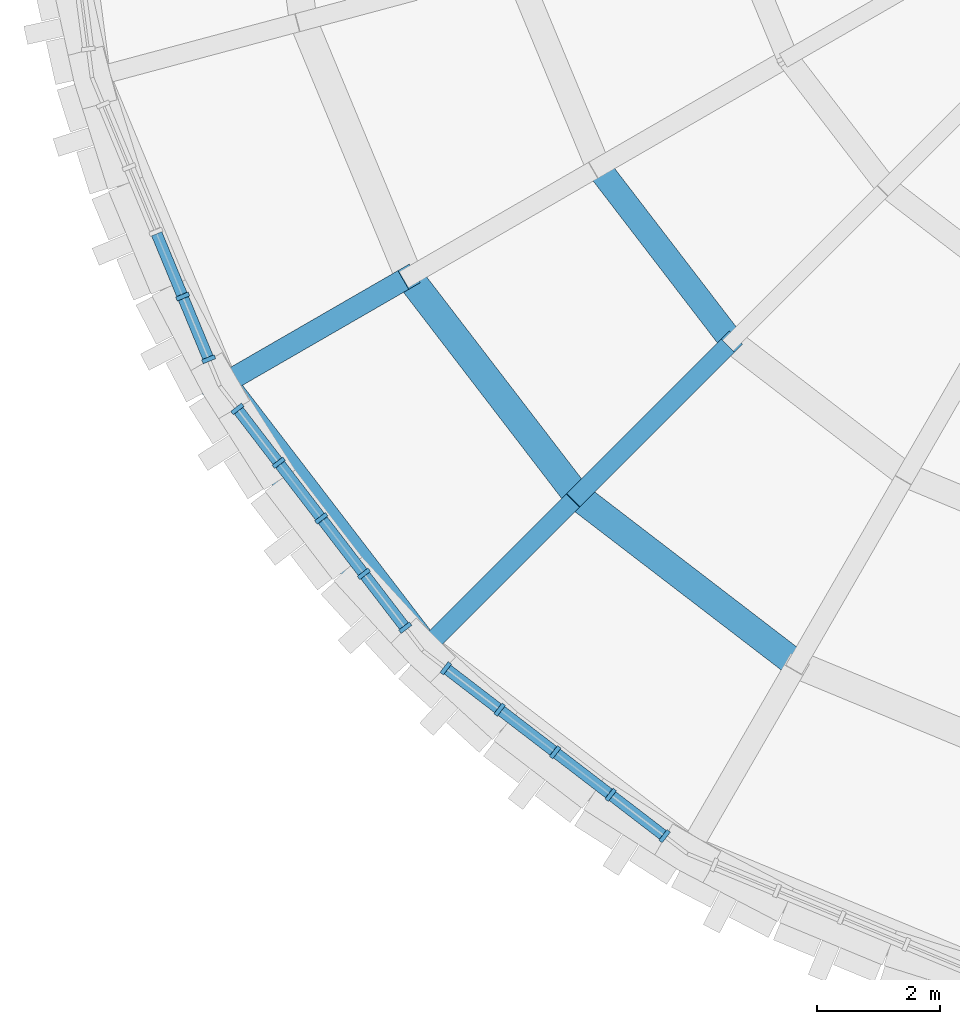
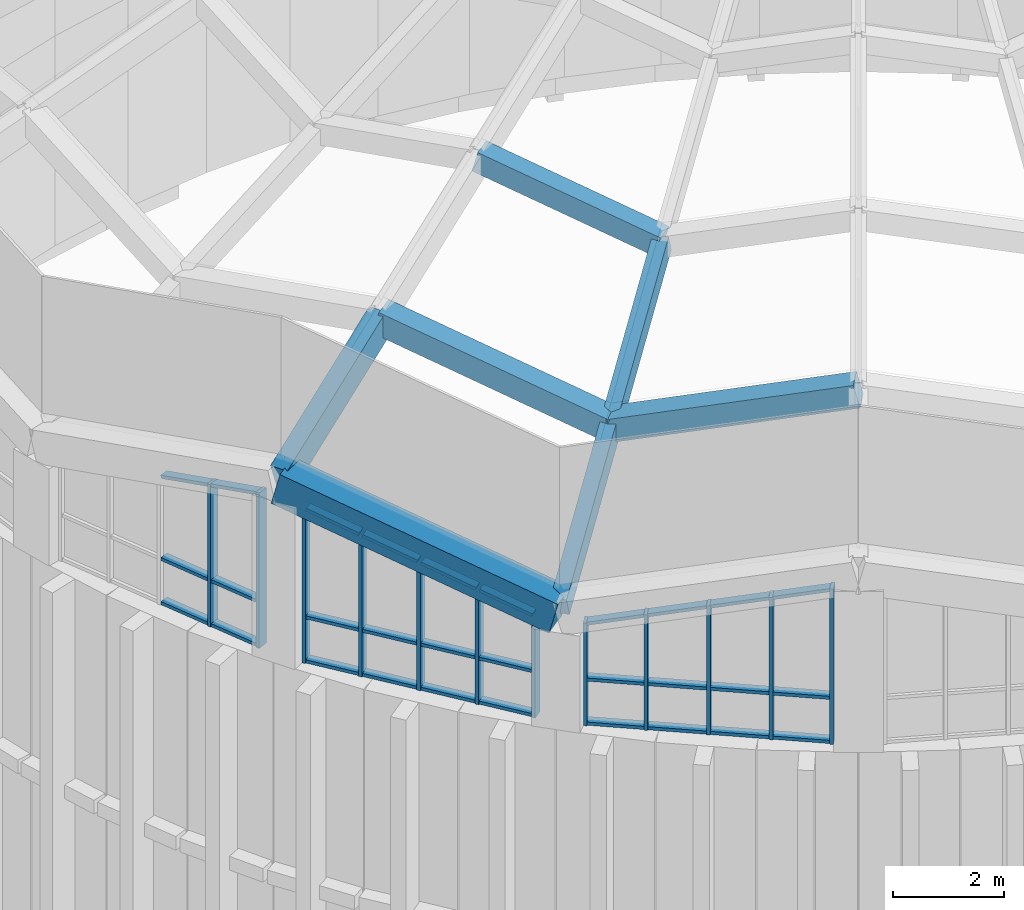
# One storey, part 4 of 82: 42 members, 7 beams, 3 elements without a shape of their own.
"""IFC4 building model written with IfcOpenShell, lengths in metres."""

from ifc_helpers import new_model, si_unit, direction, frame, origin, origin_2d, place, context, subcontext, project, spatial, rectangle, extrude, material, layer, layer_set, material_profile, profile_set, type_object, element, aggregate, save


model = new_model("IFC4")

# Units and contexts
model_context = context("Model", 3, precision=1e-05, world=origin(), true_north=direction((0.0, 1.0)))
body_context = subcontext(model_context, "Body", "Model", "MODEL_VIEW")
ifc_project = project(units=[si_unit("LENGTHUNIT", "METRE"), si_unit("AREAUNIT", "SQUARE_METRE"), si_unit("VOLUMEUNIT", "CUBIC_METRE"), si_unit("PLANEANGLEUNIT", "RADIAN"), si_unit("MASSUNIT", "GRAM", prefix="KILO")], contexts=[model_context])

# Site, building, storey
site_placement = place(None, origin())
site = spatial("IfcSite", under=ifc_project, at=site_placement, CompositionType="ELEMENT")
building_placement = place(site_placement, origin())
building = spatial("IfcBuilding", under=site, at=building_placement, Name="Volute Hill Aquarium", CompositionType="ELEMENT")
storey_placement = place(building_placement, frame((0.0, 0.0, 13.800048828125)))
storey = spatial("IfcBuildingStorey", under=building, at=storey_placement, Name="L04", CompositionType="ELEMENT", Elevation=13.800048828125)

# Curtain wall, members
ifc_material_1 = material(Name="Aluminium", Category="aluminium")
ifc_layer = layer(ifc_material_1, 0.219970703125)
ifc_layer_set = layer_set([ifc_layer], Name="Curtain wall DR clerestory module 1134")
curtain_wall_type = type_object("IfcCurtainWallType", Name="Curtain wall DR clerestory module 1134", PredefinedType="NOTDEFINED", material=ifc_layer_set)
curtain_wall_1_placement = place(storey_placement, origin())
curtain_wall_1 = element("IfcCurtainWall", 1, at=curtain_wall_1_placement, inside=storey, type_object=curtain_wall_type, Name="Curtain wall CW DR clerestory c13", PredefinedType="NOTDEFINED")
ifc_material_2 = material(Name="Aluminium", Category="aluminium")
ifc_material_profile_1 = material_profile(ifc_material_2, rectangle(XDim=0.219970703125, YDim=0.070068359375, at=origin_2d()), Name="Curtain wall mullion clerestory 70x220")
ifc_profile_set_1 = profile_set([ifc_material_profile_1], Name="Aluminium")
member_type_1 = type_object("IfcMemberType", Name="Curtain wall mullion clerestory 70x220", PredefinedType="MULLION", material=ifc_profile_set_1)
member_1_placement = place(storey_placement, frame((-18.526611328125, -8.9013671875, 13.699951171875), z_axis=(0.0, 0.0, 1.0), x_axis=(0.923874284426, 0.382696102118, 0.0)))
member_1 = element("IfcMember", 2, at=member_1_placement, type_object=member_type_1, Name="Mullion DR clerestory 4", PredefinedType="MULLION", context=body_context, shape_type="SweptSolid", body=[
    extrude(rectangle(XDim=0.219970703125, YDim=0.070068359375, at=origin_2d()), origin(), (0.0, 0.0, 1.0), 3.12109375),
])
member_2_placement = place(storey_placement, frame((-18.106201171875, -9.916748046875, 13.699951171875), z_axis=(0.0, 0.0, 1.0), x_axis=(0.923874284426, 0.382696102118, 0.0)))
member_2 = element("IfcMember", 3, at=member_2_placement, type_object=member_type_1, Name="Mullion DR clerestory 5", PredefinedType="MULLION", context=body_context, shape_type="SweptSolid", body=[
    extrude(rectangle(XDim=0.219970703125, YDim=0.070068359375, at=origin_2d()), origin(), (0.0, 0.0, 1.0), 3.40576171875),
])

curtain_wall_2_placement = place(storey_placement, origin())
curtain_wall_2 = element("IfcCurtainWall", 4, at=curtain_wall_2_placement, inside=storey, type_object=curtain_wall_type, Name="Curtain wall CW DR clerestory c14", PredefinedType="NOTDEFINED")
member_3_placement = place(storey_placement, frame((-17.641357421875, -10.721923828125, 13.699951171875), z_axis=(0.0, 0.0, 1.0), x_axis=(0.793354013303, 0.608760551921, 0.0)))
member_3 = element("IfcMember", 5, at=member_3_placement, type_object=member_type_1, Name="Mullion DR clerestory 1", PredefinedType="MULLION", context=body_context, shape_type="SweptSolid", body=[
    extrude(rectangle(XDim=0.219970703125, YDim=0.070068359375, at=origin_2d()), origin(), (0.0, 0.0, 1.0), 3.40576171875),
])
member_4_placement = place(storey_placement, frame((-16.97216796875, -11.593994140625, 13.699951171875), z_axis=(0.0, 0.0, 1.0), x_axis=(0.793354013303, 0.608760551921, 0.0)))
member_4 = element("IfcMember", 6, at=member_4_placement, type_object=member_type_1, Name="Mullion DR clerestory 2", PredefinedType="MULLION", context=body_context, shape_type="SweptSolid", body=[
    extrude(rectangle(XDim=0.219970703125, YDim=0.070068359375, at=origin_2d()), origin(), (0.0, 0.0, 1.0), 3.12109375),
])
member_5_placement = place(storey_placement, frame((-16.281982421875, -12.49365234375, 13.699951171875), z_axis=(0.0, 0.0, 1.0), x_axis=(0.793354013303, 0.608760551921, 0.0)))
member_5 = element("IfcMember", 7, at=member_5_placement, type_object=member_type_1, Name="Mullion DR clerestory 3", PredefinedType="MULLION", context=body_context, shape_type="SweptSolid", body=[
    extrude(rectangle(XDim=0.219970703125, YDim=0.070068359375, at=origin_2d()), origin(), (0.0, 0.0, 1.0), 2.827392578125),
])
member_6_placement = place(storey_placement, frame((-15.591552734375, -13.393310546875, 13.699951171875), z_axis=(0.0, 0.0, 1.0), x_axis=(0.793354013303, 0.608760551921, 0.0)))
member_6 = element("IfcMember", 8, at=member_6_placement, type_object=member_type_1, Name="Mullion DR clerestory 4", PredefinedType="MULLION", context=body_context, shape_type="SweptSolid", body=[
    extrude(rectangle(XDim=0.219970703125, YDim=0.070068359375, at=origin_2d()), origin(), (0.0, 0.0, 1.0), 2.533447265625),
])
member_7_placement = place(storey_placement, frame((-14.922607421875, -14.26513671875, 13.699951171875), z_axis=(0.0, 0.0, 1.0), x_axis=(0.793354013303, 0.608760551921, 0.0)))
member_7 = element("IfcMember", 9, at=member_7_placement, type_object=member_type_1, Name="Mullion DR clerestory 5", PredefinedType="MULLION", context=body_context, shape_type="SweptSolid", body=[
    extrude(rectangle(XDim=0.219970703125, YDim=0.070068359375, at=origin_2d()), origin(), (0.0, 0.0, 1.0), 2.248779296875),
])

curtain_wall_3_placement = place(storey_placement, origin())
curtain_wall_3 = element("IfcCurtainWall", 10, at=curtain_wall_3_placement, inside=storey, type_object=curtain_wall_type, Name="Curtain wall CW DR clerestory c15", PredefinedType="NOTDEFINED")
member_8_placement = place(storey_placement, frame((-14.26513671875, -14.922607421875, 13.699951171875), z_axis=(0.0, 0.0, 1.0), x_axis=(0.608760551921, 0.793354013303, 0.0)))
member_8 = element("IfcMember", 11, at=member_8_placement, type_object=member_type_1, Name="Mullion DR clerestory 1", PredefinedType="MULLION", context=body_context, shape_type="SweptSolid", body=[
    extrude(rectangle(XDim=0.219970703125, YDim=0.070068359375, at=origin_2d()), origin(), (0.0, 0.0, 1.0), 2.248779296875),
])
member_9_placement = place(storey_placement, frame((-13.393310546875, -15.591552734375, 13.699951171875), z_axis=(0.0, 0.0, 1.0), x_axis=(0.608760551921, 0.793354013303, 0.0)))
member_9 = element("IfcMember", 12, at=member_9_placement, type_object=member_type_1, Name="Mullion DR clerestory 2", PredefinedType="MULLION", context=body_context, shape_type="SweptSolid", body=[
    extrude(rectangle(XDim=0.219970703125, YDim=0.070068359375, at=origin_2d()), origin(), (0.0, 0.0, 1.0), 2.533447265625),
])
member_10_placement = place(storey_placement, frame((-12.49365234375, -16.281982421875, 13.699951171875), z_axis=(0.0, 0.0, 1.0), x_axis=(0.608760551921, 0.793354013303, 0.0)))
member_10 = element("IfcMember", 13, at=member_10_placement, type_object=member_type_1, Name="Mullion DR clerestory 3", PredefinedType="MULLION", context=body_context, shape_type="SweptSolid", body=[
    extrude(rectangle(XDim=0.219970703125, YDim=0.070068359375, at=origin_2d()), origin(), (0.0, 0.0, 1.0), 2.827392578125),
])
member_11_placement = place(storey_placement, frame((-11.593994140625, -16.97216796875, 13.699951171875), z_axis=(0.0, 0.0, 1.0), x_axis=(0.608760551921, 0.793354013303, 0.0)))
member_11 = element("IfcMember", 14, at=member_11_placement, type_object=member_type_1, Name="Mullion DR clerestory 4", PredefinedType="MULLION", context=body_context, shape_type="SweptSolid", body=[
    extrude(rectangle(XDim=0.219970703125, YDim=0.070068359375, at=origin_2d()), origin(), (0.0, 0.0, 1.0), 3.12109375),
])
member_12_placement = place(storey_placement, frame((-10.721923828125, -17.641357421875, 13.699951171875), z_axis=(0.0, 0.0, 1.0), x_axis=(0.608760551921, 0.793354013303, 0.0)))
member_12 = element("IfcMember", 15, at=member_12_placement, type_object=member_type_1, Name="Mullion DR clerestory 5", PredefinedType="MULLION", context=body_context, shape_type="SweptSolid", body=[
    extrude(rectangle(XDim=0.219970703125, YDim=0.070068359375, at=origin_2d()), origin(), (0.0, 0.0, 1.0), 3.40576171875),
])

# Member
ifc_material_3 = material(Name="Aluminium", Category="aluminium")
ifc_material_profile_2 = material_profile(ifc_material_3, rectangle(XDim=0.179931640625, YDim=0.070068359375, at=origin_2d()), Name="Curtain wall transom clerestory 70x180")
ifc_profile_set_2 = profile_set([ifc_material_profile_2], Name="Aluminium")
member_type_2 = type_object("IfcMemberType", Name="Curtain wall transom clerestory 70x180", PredefinedType="USERDEFINED", material=ifc_profile_set_2)
member_13_placement = place(storey_placement, frame((-18.947265625, -7.88623046875, 13.73486328125), z_axis=(0.38275711533, -0.923849008585, 0.0), x_axis=(0.923849008585, 0.38275711533, 0.0)))
member_13 = element("IfcMember", 16, at=member_13_placement, type_object=member_type_2, Name="Transom DR clerestory 3.1", ObjectType="TRANSOM", PredefinedType="USERDEFINED", context=body_context, shape_type="SweptSolid", body=[
    extrude(rectangle(XDim=0.179931640625, YDim=0.070068359375, at=origin_2d()), origin(), (0.0, 0.0, 1.0), 1.06396484375),
])

member_14_placement = place(storey_placement, frame((-18.947265625, -7.88623046875, 14.699951171875), z_axis=(0.38275711533, -0.923849008585, 0.0), x_axis=(0.923849008585, 0.38275711533, 0.0)))
member_14 = element("IfcMember", 17, at=member_14_placement, type_object=member_type_2, Name="Transom DR clerestory 3.2", ObjectType="TRANSOM", PredefinedType="USERDEFINED", context=body_context, shape_type="SweptSolid", body=[
    extrude(rectangle(XDim=0.179931640625, YDim=0.070068359375, at=origin_2d()), origin(), (0.0, 0.0, 1.0), 1.06396484375),
])

member_15_placement = place(storey_placement, frame((-18.947265625, -7.88623046875, 16.501220703125), z_axis=(0.3705038637, -0.894273714183, 0.251000818934), x_axis=(0.923849008585, 0.38275711533, 0.0)))
member_15 = element("IfcMember", 18, at=member_15_placement, type_object=member_type_2, Name="Head member DR clerestory 3", ObjectType="TRANSOM", PredefinedType="USERDEFINED", context=body_context, shape_type="SweptSolid", body=[
    extrude(rectangle(XDim=0.179931640625, YDim=0.070068359375, at=origin_2d()), origin(), (0.0, 0.0, 1.0), 1.09912109375),
])

member_16_placement = place(storey_placement, frame((-18.513427734375, -8.933837890625, 13.73486328125), z_axis=(0.382694041496, -0.923875137994, 0.0), x_axis=(0.923875137994, 0.382694041496, 0.0)))
member_16 = element("IfcMember", 19, at=member_16_placement, type_object=member_type_2, Name="Transom DR clerestory 4.1", ObjectType="TRANSOM", PredefinedType="USERDEFINED", context=body_context, shape_type="SweptSolid", body=[
    extrude(rectangle(XDim=0.179931640625, YDim=0.070068359375, at=origin_2d()), origin(), (0.0, 0.0, 1.0), 1.029052734375),
])

member_17_placement = place(storey_placement, frame((-18.513427734375, -8.933837890625, 14.699951171875), z_axis=(0.382694041496, -0.923875137994, 0.0), x_axis=(0.923875137994, 0.382694041496, 0.0)))
member_17 = element("IfcMember", 20, at=member_17_placement, type_object=member_type_2, Name="Transom DR clerestory 4.2", ObjectType="TRANSOM", PredefinedType="USERDEFINED", context=body_context, shape_type="SweptSolid", body=[
    extrude(rectangle(XDim=0.179931640625, YDim=0.070068359375, at=origin_2d()), origin(), (0.0, 0.0, 1.0), 1.029052734375),
])

member_18_placement = place(storey_placement, frame((-18.513427734375, -8.933837890625, 16.795166015625), z_axis=(0.370462446249, -0.894346413946, 0.250802846438), x_axis=(0.923875137994, 0.382694041496, 0.0)))
member_18 = element("IfcMember", 21, at=member_18_placement, type_object=member_type_2, Name="Head member DR clerestory 4", ObjectType="TRANSOM", PredefinedType="USERDEFINED", context=body_context, shape_type="SweptSolid", body=[
    extrude(rectangle(XDim=0.179931640625, YDim=0.070068359375, at=origin_2d()), origin(), (0.0, 0.0, 1.0), 1.06298828125),
])

aggregate(curtain_wall_1, [member_1, member_2, member_13, member_14, member_15, member_16, member_17, member_18])

member_19_placement = place(storey_placement, frame((-17.619873046875, -10.749755859375, 13.73486328125), z_axis=(0.608620818261, -0.793461214918, 0.0), x_axis=(0.793461214918, 0.608620818261, 0.0)))
member_19 = element("IfcMember", 22, at=member_19_placement, type_object=member_type_2, Name="Transom DR clerestory 1.1", ObjectType="TRANSOM", PredefinedType="USERDEFINED", context=body_context, shape_type="SweptSolid", body=[
    extrude(rectangle(XDim=0.179931640625, YDim=0.070068359375, at=origin_2d()), origin(), (0.0, 0.0, 1.0), 1.02880859375),
])

member_20_placement = place(storey_placement, frame((-17.619873046875, -10.749755859375, 14.699951171875), z_axis=(0.608620818261, -0.793461214918, 0.0), x_axis=(0.793461214918, 0.608620818261, 0.0)))
member_20 = element("IfcMember", 23, at=member_20_placement, type_object=member_type_2, Name="Transom DR clerestory 1.2", ObjectType="TRANSOM", PredefinedType="USERDEFINED", context=body_context, shape_type="SweptSolid", body=[
    extrude(rectangle(XDim=0.179931640625, YDim=0.070068359375, at=origin_2d()), origin(), (0.0, 0.0, 1.0), 1.02880859375),
])

member_21_placement = place(storey_placement, frame((-17.619873046875, -10.749755859375, 17.061767578125), z_axis=(0.58916460075, -0.768096072089, -0.250825631196), x_axis=(0.793461214918, 0.608620818261, 0.0)))
member_21 = element("IfcMember", 24, at=member_21_placement, type_object=member_type_2, Name="Head member DR clerestory 1", ObjectType="TRANSOM", PredefinedType="USERDEFINED", context=body_context, shape_type="SweptSolid", body=[
    extrude(rectangle(XDim=0.179931640625, YDim=0.070068359375, at=origin_2d()), origin(), (0.0, 0.0, 1.0), 1.06298828125),
])

member_22_placement = place(storey_placement, frame((-16.950927734375, -11.62158203125, 13.73486328125), z_axis=(0.608701247669, -0.793399515431, 0.0), x_axis=(0.793399515431, 0.608701247669, 0.0)))
member_22 = element("IfcMember", 25, at=member_22_placement, type_object=member_type_2, Name="Transom DR clerestory 2.1", ObjectType="TRANSOM", PredefinedType="USERDEFINED", context=body_context, shape_type="SweptSolid", body=[
    extrude(rectangle(XDim=0.179931640625, YDim=0.070068359375, at=origin_2d()), origin(), (0.0, 0.0, 1.0), 1.06396484375),
])

member_23_placement = place(storey_placement, frame((-16.950927734375, -11.62158203125, 14.699951171875), z_axis=(0.608701247669, -0.793399515431, 0.0), x_axis=(0.793399515431, 0.608701247669, 0.0)))
member_23 = element("IfcMember", 26, at=member_23_placement, type_object=member_type_2, Name="Transom DR clerestory 2.2", ObjectType="TRANSOM", PredefinedType="USERDEFINED", context=body_context, shape_type="SweptSolid", body=[
    extrude(rectangle(XDim=0.179931640625, YDim=0.070068359375, at=origin_2d()), origin(), (0.0, 0.0, 1.0), 1.06396484375),
])

member_24_placement = place(storey_placement, frame((-16.950927734375, -11.62158203125, 16.777099609375), z_axis=(0.589219970321, -0.768007032556, -0.250968174317), x_axis=(0.793399515431, 0.608701247669, 0.0)))
member_24 = element("IfcMember", 27, at=member_24_placement, type_object=member_type_2, Name="Head member DR clerestory 2", ObjectType="TRANSOM", PredefinedType="USERDEFINED", context=body_context, shape_type="SweptSolid", body=[
    extrude(rectangle(XDim=0.179931640625, YDim=0.070068359375, at=origin_2d()), origin(), (0.0, 0.0, 1.0), 1.099365234375),
])

member_25_placement = place(storey_placement, frame((-16.260498046875, -12.521240234375, 13.73486328125), z_axis=(0.608701247669, -0.793399515431, 0.0), x_axis=(0.793399515431, 0.608701247669, 0.0)))
member_25 = element("IfcMember", 28, at=member_25_placement, type_object=member_type_2, Name="Transom DR clerestory 3.1", ObjectType="TRANSOM", PredefinedType="USERDEFINED", context=body_context, shape_type="SweptSolid", body=[
    extrude(rectangle(XDim=0.179931640625, YDim=0.070068359375, at=origin_2d()), origin(), (0.0, 0.0, 1.0), 1.06396484375),
])

member_26_placement = place(storey_placement, frame((-16.260498046875, -12.521240234375, 14.699951171875), z_axis=(0.608701247669, -0.793399515431, 0.0), x_axis=(0.793399515431, 0.608701247669, 0.0)))
member_26 = element("IfcMember", 29, at=member_26_placement, type_object=member_type_2, Name="Transom DR clerestory 3.2", ObjectType="TRANSOM", PredefinedType="USERDEFINED", context=body_context, shape_type="SweptSolid", body=[
    extrude(rectangle(XDim=0.179931640625, YDim=0.070068359375, at=origin_2d()), origin(), (0.0, 0.0, 1.0), 1.06396484375),
])

member_27_placement = place(storey_placement, frame((-16.260498046875, -12.521240234375, 16.483154296875), z_axis=(0.589252801041, -0.768049825103, -0.250760049896), x_axis=(0.793399515431, 0.608701247669, 0.0)))
member_27 = element("IfcMember", 30, at=member_27_placement, type_object=member_type_2, Name="Head member DR clerestory 3", ObjectType="TRANSOM", PredefinedType="USERDEFINED", context=body_context, shape_type="SweptSolid", body=[
    extrude(rectangle(XDim=0.179931640625, YDim=0.070068359375, at=origin_2d()), origin(), (0.0, 0.0, 1.0), 1.09912109375),
])

member_28_placement = place(storey_placement, frame((-15.5703125, -13.4208984375, 13.73486328125), z_axis=(0.608770172228, -0.793346631306, 0.0), x_axis=(0.793346631306, 0.608770172228, 0.0)))
member_28 = element("IfcMember", 31, at=member_28_placement, type_object=member_type_2, Name="Transom DR clerestory 4.1", ObjectType="TRANSOM", PredefinedType="USERDEFINED", context=body_context, shape_type="SweptSolid", body=[
    extrude(rectangle(XDim=0.179931640625, YDim=0.070068359375, at=origin_2d()), origin(), (0.0, 0.0, 1.0), 1.029052734375),
])

member_29_placement = place(storey_placement, frame((-15.5703125, -13.4208984375, 14.699951171875), z_axis=(0.608770172228, -0.793346631306, 0.0), x_axis=(0.793346631306, 0.608770172228, 0.0)))
member_29 = element("IfcMember", 32, at=member_29_placement, type_object=member_type_2, Name="Transom DR clerestory 4.2", ObjectType="TRANSOM", PredefinedType="USERDEFINED", context=body_context, shape_type="SweptSolid", body=[
    extrude(rectangle(XDim=0.179931640625, YDim=0.070068359375, at=origin_2d()), origin(), (0.0, 0.0, 1.0), 1.029052734375),
])

member_30_placement = place(storey_placement, frame((-15.5703125, -13.4208984375, 16.189453125), z_axis=(0.589314533966, -0.767992128442, -0.250791687876), x_axis=(0.793346631306, 0.608770172228, 0.0)))
member_30 = element("IfcMember", 33, at=member_30_placement, type_object=member_type_2, Name="Head member DR clerestory 4", ObjectType="TRANSOM", PredefinedType="USERDEFINED", context=body_context, shape_type="SweptSolid", body=[
    extrude(rectangle(XDim=0.179931640625, YDim=0.070068359375, at=origin_2d()), origin(), (0.0, 0.0, 1.0), 1.06298828125),
])

aggregate(curtain_wall_2, [member_3, member_4, member_5, member_6, member_7, member_19, member_20, member_21, member_22, member_23, member_24, member_25, member_26, member_27, member_28, member_29, member_30])

member_31_placement = place(storey_placement, frame((-14.2373046875, -14.94384765625, 13.73486328125), z_axis=(0.793346631306, -0.608770172228, 0.0), x_axis=(0.608770172228, 0.793346631306, 0.0)))
member_31 = element("IfcMember", 34, at=member_31_placement, type_object=member_type_2, Name="Transom DR clerestory 1.1", ObjectType="TRANSOM", PredefinedType="USERDEFINED", context=body_context, shape_type="SweptSolid", body=[
    extrude(rectangle(XDim=0.179931640625, YDim=0.070068359375, at=origin_2d()), origin(), (0.0, 0.0, 1.0), 1.029052734375),
])

member_32_placement = place(storey_placement, frame((-14.2373046875, -14.94384765625, 14.699951171875), z_axis=(0.793346631306, -0.608770172228, 0.0), x_axis=(0.608770172228, 0.793346631306, 0.0)))
member_32 = element("IfcMember", 35, at=member_32_placement, type_object=member_type_2, Name="Transom DR clerestory 1.2", ObjectType="TRANSOM", PredefinedType="USERDEFINED", context=body_context, shape_type="SweptSolid", body=[
    extrude(rectangle(XDim=0.179931640625, YDim=0.070068359375, at=origin_2d()), origin(), (0.0, 0.0, 1.0), 1.029052734375),
])

member_33_placement = place(storey_placement, frame((-14.2373046875, -14.94384765625, 15.9228515625), z_axis=(0.767992128442, -0.589314533966, 0.250791687876), x_axis=(0.608770172228, 0.793346631306, 0.0)))
member_33 = element("IfcMember", 36, at=member_33_placement, type_object=member_type_2, Name="Head member DR clerestory 1", ObjectType="TRANSOM", PredefinedType="USERDEFINED", context=body_context, shape_type="SweptSolid", body=[
    extrude(rectangle(XDim=0.179931640625, YDim=0.070068359375, at=origin_2d()), origin(), (0.0, 0.0, 1.0), 1.06298828125),
])

member_34_placement = place(storey_placement, frame((-13.365478515625, -15.61279296875, 13.73486328125), z_axis=(0.793399515431, -0.608701247669, 0.0), x_axis=(0.608701247669, 0.793399515431, 0.0)))
member_34 = element("IfcMember", 37, at=member_34_placement, type_object=member_type_2, Name="Transom DR clerestory 2.1", ObjectType="TRANSOM", PredefinedType="USERDEFINED", context=body_context, shape_type="SweptSolid", body=[
    extrude(rectangle(XDim=0.179931640625, YDim=0.070068359375, at=origin_2d()), origin(), (0.0, 0.0, 1.0), 1.06396484375),
])

member_35_placement = place(storey_placement, frame((-13.365478515625, -15.61279296875, 14.699951171875), z_axis=(0.793399515431, -0.608701247669, 0.0), x_axis=(0.608701247669, 0.793399515431, 0.0)))
member_35 = element("IfcMember", 38, at=member_35_placement, type_object=member_type_2, Name="Transom DR clerestory 2.2", ObjectType="TRANSOM", PredefinedType="USERDEFINED", context=body_context, shape_type="SweptSolid", body=[
    extrude(rectangle(XDim=0.179931640625, YDim=0.070068359375, at=origin_2d()), origin(), (0.0, 0.0, 1.0), 1.06396484375),
])

member_36_placement = place(storey_placement, frame((-13.365478515625, -15.61279296875, 16.20751953125), z_axis=(0.768049825103, -0.589252801041, 0.250760049896), x_axis=(0.608701247669, 0.793399515431, 0.0)))
member_36 = element("IfcMember", 39, at=member_36_placement, type_object=member_type_2, Name="Head member DR clerestory 2", ObjectType="TRANSOM", PredefinedType="USERDEFINED", context=body_context, shape_type="SweptSolid", body=[
    extrude(rectangle(XDim=0.179931640625, YDim=0.070068359375, at=origin_2d()), origin(), (0.0, 0.0, 1.0), 1.09912109375),
])

member_37_placement = place(storey_placement, frame((-12.4658203125, -16.30322265625, 13.73486328125), z_axis=(0.793399515431, -0.608701247669, 0.0), x_axis=(0.608701247669, 0.793399515431, 0.0)))
member_37 = element("IfcMember", 40, at=member_37_placement, type_object=member_type_2, Name="Transom DR clerestory 3.1", ObjectType="TRANSOM", PredefinedType="USERDEFINED", context=body_context, shape_type="SweptSolid", body=[
    extrude(rectangle(XDim=0.179931640625, YDim=0.070068359375, at=origin_2d()), origin(), (0.0, 0.0, 1.0), 1.06396484375),
])

member_38_placement = place(storey_placement, frame((-12.4658203125, -16.30322265625, 14.699951171875), z_axis=(0.793399515431, -0.608701247669, 0.0), x_axis=(0.608701247669, 0.793399515431, 0.0)))
member_38 = element("IfcMember", 41, at=member_38_placement, type_object=member_type_2, Name="Transom DR clerestory 3.2", ObjectType="TRANSOM", PredefinedType="USERDEFINED", context=body_context, shape_type="SweptSolid", body=[
    extrude(rectangle(XDim=0.179931640625, YDim=0.070068359375, at=origin_2d()), origin(), (0.0, 0.0, 1.0), 1.06396484375),
])

member_39_placement = place(storey_placement, frame((-12.4658203125, -16.30322265625, 16.501220703125), z_axis=(0.768007032556, -0.589219970321, 0.250968174317), x_axis=(0.608701247669, 0.793399515431, 0.0)))
member_39 = element("IfcMember", 42, at=member_39_placement, type_object=member_type_2, Name="Head member DR clerestory 3", ObjectType="TRANSOM", PredefinedType="USERDEFINED", context=body_context, shape_type="SweptSolid", body=[
    extrude(rectangle(XDim=0.179931640625, YDim=0.070068359375, at=origin_2d()), origin(), (0.0, 0.0, 1.0), 1.099365234375),
])

member_40_placement = place(storey_placement, frame((-11.566162109375, -16.99365234375, 13.73486328125), z_axis=(0.793461214918, -0.608620818261, 0.0), x_axis=(0.608620818261, 0.793461214918, 0.0)))
member_40 = element("IfcMember", 43, at=member_40_placement, type_object=member_type_2, Name="Transom DR clerestory 4.1", ObjectType="TRANSOM", PredefinedType="USERDEFINED", context=body_context, shape_type="SweptSolid", body=[
    extrude(rectangle(XDim=0.179931640625, YDim=0.070068359375, at=origin_2d()), origin(), (0.0, 0.0, 1.0), 1.02880859375),
])

member_41_placement = place(storey_placement, frame((-11.566162109375, -16.99365234375, 14.699951171875), z_axis=(0.793461214918, -0.608620818261, 0.0), x_axis=(0.608620818261, 0.793461214918, 0.0)))
member_41 = element("IfcMember", 44, at=member_41_placement, type_object=member_type_2, Name="Transom DR clerestory 4.2", ObjectType="TRANSOM", PredefinedType="USERDEFINED", context=body_context, shape_type="SweptSolid", body=[
    extrude(rectangle(XDim=0.179931640625, YDim=0.070068359375, at=origin_2d()), origin(), (0.0, 0.0, 1.0), 1.02880859375),
])

member_42_placement = place(storey_placement, frame((-11.566162109375, -16.99365234375, 16.795166015625), z_axis=(0.768096072089, -0.58916460075, 0.250825631196), x_axis=(0.608620818261, 0.793461214918, 0.0)))
member_42 = element("IfcMember", 45, at=member_42_placement, type_object=member_type_2, Name="Head member DR clerestory 4", ObjectType="TRANSOM", PredefinedType="USERDEFINED", context=body_context, shape_type="SweptSolid", body=[
    extrude(rectangle(XDim=0.179931640625, YDim=0.070068359375, at=origin_2d()), origin(), (0.0, 0.0, 1.0), 1.06298828125),
])

aggregate(curtain_wall_3, [member_8, member_9, member_10, member_11, member_12, member_31, member_32, member_33, member_34, member_35, member_36, member_37, member_38, member_39, member_40, member_41, member_42])

# Beams
ifc_material_4 = material(Name="Concrete C40/50", Category="concrete")
ifc_material_profile_3 = material_profile(ifc_material_4, rectangle(XDim=0.60009765625, YDim=0.699951171875, at=origin_2d()), Name="RC beam 600x700")
ifc_profile_set_3 = profile_set([ifc_material_profile_3], Name="Concrete C40/50")
beam_type_1 = type_object("IfcBeamType", Name="Dome shell eave ring beam 600x700", PredefinedType="BEAM", material=ifc_profile_set_3)
beam_1_placement = place(storey_placement, frame((-17.9267578125, -10.35009765625, 17.51611328125), z_axis=(0.58930025924, -0.768005978347, -0.250782817759), x_axis=(0.793359055165, 0.608753981167, 0.0)))
element("IfcBeam", 46, at=beam_1_placement, inside=storey, type_object=beam_type_1, Name="rb/DR/L04/eave.14", PredefinedType="BEAM", context=body_context, shape_type="SweptSolid", body=[
    extrude(rectangle(XDim=0.60009765625, YDim=0.699951171875, at=origin_2d()), origin(), (0.0, 0.0, 1.0), 5.58203125),
])
ifc_material_5 = material(Name="Concrete C40/50", Category="concrete")
ifc_material_profile_4 = material_profile(ifc_material_5, rectangle(XDim=0.35009765625, YDim=0.60009765625, at=origin_2d()), Name="RC rib 350x600")
ifc_profile_set_4 = profile_set([ifc_material_profile_4], Name="Concrete C40/50")
beam_type_2 = type_object("IfcBeamType", Name="Dome shell ridge rib 350x600", PredefinedType="BEAM", material=ifc_profile_set_4)
beam_2_placement = place(storey_placement, frame((-17.9267578125, -10.35009765625, 17.556884765625), z_axis=(0.80977897668, 0.467539824873, 0.354491919631), x_axis=(-0.500011000363, 0.866019052629, 0.0)))
element("IfcBeam", 47, at=beam_2_placement, inside=storey, type_object=beam_type_2, Name="rb/DR/L04/ridge0.14", PredefinedType="BEAM", context=body_context, shape_type="SweptSolid", body=[
    extrude(rectangle(XDim=0.35009765625, YDim=0.60009765625, at=origin_2d()), origin(), (0.0, 0.0, 1.0), 3.785888671875),
])
ifc_material_6 = material(Name="Concrete C40/50", Category="concrete")
ifc_material_profile_5 = material_profile(ifc_material_6, rectangle(XDim=0.39990234375, YDim=0.449951171875, at=origin_2d()), Name="RC beam 400x450")
ifc_profile_set_5 = profile_set([ifc_material_profile_5], Name="Concrete C40/50")
beam_type_3 = type_object("IfcBeamType", Name="Dome shell ring beam 400x450", PredefinedType="BEAM", material=ifc_profile_set_5)
beam_3_placement = place(storey_placement, frame((-11.79541015625, -6.81005859375, 20.32958984375), z_axis=(0.589319109649, -0.767989284107, -0.250789645918), x_axis=(0.793343259525, 0.608774566293, 0.0)))
element("IfcBeam", 48, at=beam_3_placement, inside=storey, type_object=beam_type_3, Name="rb/DR/L04/ring2.14", PredefinedType="BEAM", context=body_context, shape_type="SweptSolid", body=[
    extrude(rectangle(XDim=0.39990234375, YDim=0.449951171875, at=origin_2d()), origin(), (0.0, 0.0, 1.0), 3.6728515625),
])
ifc_material_7 = material(Name="Concrete C40/50", Category="concrete")
ifc_material_profile_6 = material_profile(ifc_material_7, rectangle(XDim=0.449951171875, YDim=0.5, at=origin_2d()), Name="RC beam 450x500")
ifc_profile_set_6 = profile_set([ifc_material_profile_6], Name="Concrete C40/50")
beam_type_4 = type_object("IfcBeamType", Name="Dome shell ring beam 450x500", PredefinedType="BEAM", material=ifc_profile_set_6)
for number, where, z_axis, x_axis, name in (
    (49, (-14.861083984375, -8.580078125, 18.961669921875), (0.589303841521, -0.767994272249, -0.250810247322), (0.793352786595, 0.608762150599, 0.0), "rb/DR/L04/ring1.14"),
    (50, (-12.134033203125, -12.134033203125, 17.801025390625), (0.767994272249, -0.589303841521, 0.250810247322), (0.608762150599, 0.793352786595, 0.0), "rb/DR/L04/ring1.15"),
):
    element("IfcBeam", number, at=place(storey_placement, frame(where, z_axis=z_axis, x_axis=x_axis)), inside=storey, type_object=beam_type_4, Name=name, PredefinedType="BEAM", context=body_context, shape_type="SweptSolid", body=[
        extrude(rectangle(XDim=0.449951171875, YDim=0.5, at=origin_2d()), origin(), (0.0, 0.0, 1.0), 4.627685546875),
    ])
ifc_material_8 = material(Name="Concrete C40/50", Category="concrete")
ifc_material_profile_7 = material_profile(ifc_material_8, rectangle(XDim=0.300048828125, YDim=0.449951171875, at=origin_2d()), Name="RC rib 300x450")
ifc_profile_set_7 = profile_set([ifc_material_profile_7], Name="Concrete C40/50")
beam_type_5 = type_object("IfcBeamType", Name="Dome shell valley rib 300x450", PredefinedType="BEAM", material=ifc_profile_set_7)
beam_4_placement = place(storey_placement, frame((-12.134033203125, -12.134033203125, 17.812744140625), z_axis=(0.645589557289, 0.645589557289, 0.407956182744), x_axis=(-0.707106781187, 0.707106781187, 0.0)))
element("IfcBeam", 51, at=beam_4_placement, inside=storey, type_object=beam_type_5, Name="rb/DR/L04/valley1.15", PredefinedType="BEAM", context=body_context, shape_type="SweptSolid", body=[
    extrude(rectangle(XDim=0.300048828125, YDim=0.449951171875, at=origin_2d()), origin(), (0.0, 0.0, 1.0), 3.87744140625),
])
ifc_material_9 = material(Name="Concrete C40/50", Category="concrete")
ifc_material_profile_8 = material_profile(ifc_material_9, rectangle(XDim=0.300048828125, YDim=0.5, at=origin_2d()), Name="RC rib 300x500")
ifc_profile_set_8 = profile_set([ifc_material_profile_8], Name="Concrete C40/50")
beam_type_6 = type_object("IfcBeamType", Name="Dome shell valley rib 300x500", PredefinedType="BEAM", material=ifc_profile_set_8)
beam_5_placement = place(storey_placement, frame((-14.63720703125, -14.63720703125, 16.203857421875), z_axis=(0.645606140124, 0.645606140124, 0.407903694111), x_axis=(-0.707106781187, 0.707106781187, 0.0)))
element("IfcBeam", 52, at=beam_5_placement, inside=storey, type_object=beam_type_6, Name="rb/DR/L04/valley0.15", PredefinedType="BEAM", context=body_context, shape_type="SweptSolid", body=[
    extrude(rectangle(XDim=0.300048828125, YDim=0.5, at=origin_2d()), origin(), (0.0, 0.0, 1.0), 3.877197265625),
])

save(model, "model.ifc")
